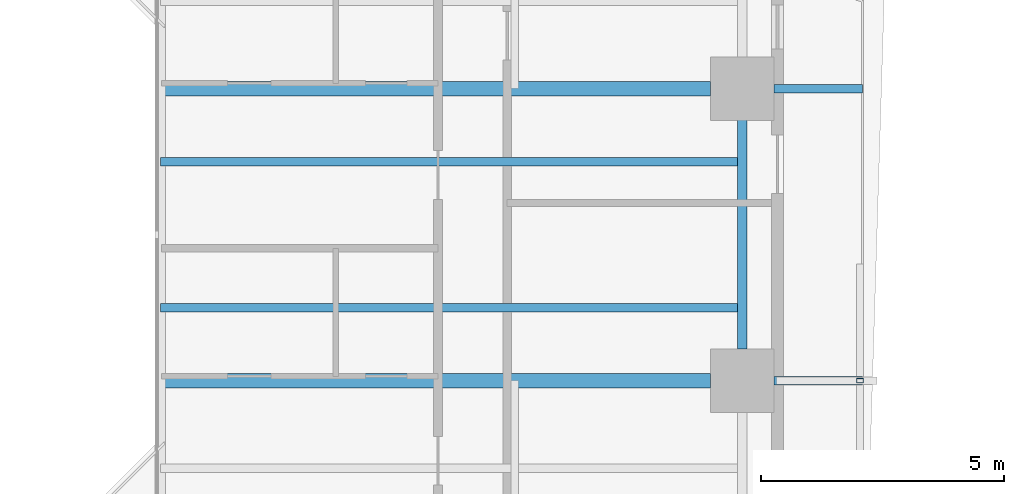
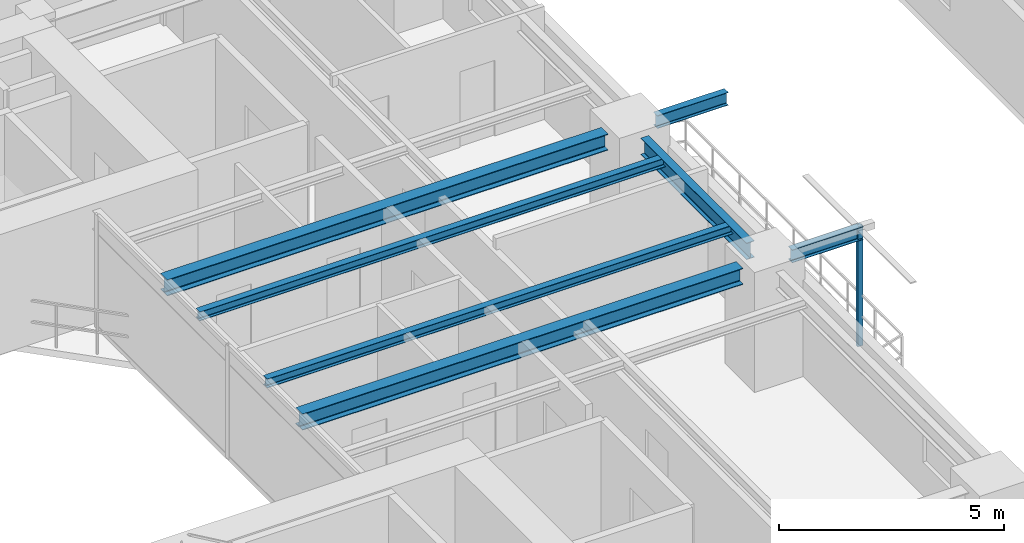
# One storey, part 7 of 23: 7 beams, 1 member.
"""IFC4 building model written with IfcOpenShell, lengths in metres."""

from ifc_helpers import new_model, si_unit, direction, frame, origin, origin_2d, place, context, subcontext, project, spatial, hollow_rectangle, i_section, extrude, source, transform, mapped, material, material_profile, profile_set, type_object, element, save


model = new_model("IFC4")

# Units and contexts
model_context = context("Model", 3, precision=1e-05, world=origin(), true_north=direction((0.0, 1.0)))
body_context = subcontext(model_context, "Body", "Model", "MODEL_VIEW")
ifc_project = project(units=[si_unit("LENGTHUNIT", "METRE"), si_unit("AREAUNIT", "SQUARE_METRE"), si_unit("VOLUMEUNIT", "CUBIC_METRE"), si_unit("PLANEANGLEUNIT", "RADIAN"), si_unit("MASSUNIT", "GRAM", prefix="KILO"), si_unit("THERMODYNAMICTEMPERATUREUNIT", "KELVIN"), si_unit("POWERUNIT", "WATT")], contexts=[model_context])

# Site, building, storey
site_placement = place(None, origin())
site = spatial("IfcSite", under=ifc_project, at=site_placement, CompositionType="ELEMENT")
building_placement = place(site_placement, origin())
building = spatial("IfcBuilding", under=site, at=building_placement, Name="Qiaomeng Ring Towers", CompositionType="ELEMENT")
storey_placement = place(building_placement, frame((0.0, 0.0, 29.5)))
storey = spatial("IfcBuildingStorey", under=building, at=storey_placement, Name="L07", CompositionType="ELEMENT", Elevation=29.5)

# Beams
ifc_material_1 = material(Name="Steel Q355B", Category="steel")
ifc_material_profile_1 = material_profile(ifc_material_1, i_section(OverallWidth=0.199951171875, OverallDepth=0.449951171875, WebThickness=0.009033203125, FlangeThickness=0.013916015625, FilletRadius=0.01806640625, at=origin_2d()), Name="HN 450x200x9x14")
ifc_profile_set_1 = profile_set([ifc_material_profile_1], Name="Steel Q355B")
beam_type_1 = type_object("IfcBeamType", Name="STR-BM-HN450", PredefinedType="SPANDREL", material=ifc_profile_set_1)
shared_shape_1 = source(origin(), body_context, "Body", "SweptSolid", [
    extrude(i_section(OverallWidth=0.199951171875, OverallDepth=0.449951171875, WebThickness=0.009033203125, FlangeThickness=0.013916015625, FilletRadius=0.01806640625, at=origin_2d()), origin(), (0.0, 0.0, 1.0), 4.7021484375),
])
beam_placement = place(storey_placement, frame((37.14990234375, 20.64892578125, 2.844970703125), z_axis=(0.0, 1.0, 0.0), x_axis=(-1.0, 0.0, 0.0)))
element("IfcBeam", 1, at=beam_placement, inside=storey, type_object=beam_type_1, Name="L07 beam STR-SP-L07-T1-E2-E3", PredefinedType="SPANDREL", context=body_context, shape_type="MappedRepresentation", body=[
    mapped(shared_shape_1, transform((0.0, 0.0, 0.0), x_axis=(1.0, 0.0, 0.0), y_axis=(0.0, 1.0, 0.0), z_axis=(0.0, 0.0, 1.0), scale=1.0)),
])
ifc_material_profile_2 = material_profile(ifc_material_1, i_section(OverallWidth=0.300048828125, OverallDepth=0.43994140625, WebThickness=0.010986328125, FlangeThickness=0.01806640625, FilletRadius=0.02392578125, at=origin_2d()), Name="HM 440x300x11x18")
ifc_profile_set_2 = profile_set([ifc_material_profile_2], Name="Steel Q355B")
beam_type_2 = type_object("IfcBeamType", Name="STR-BM-HM440", PredefinedType="BEAM", material=ifc_profile_set_2)
shared_shape_2 = source(origin(), body_context, "Body", "SweptSolid", [
    extrude(i_section(OverallWidth=0.300048828125, OverallDepth=0.43994140625, WebThickness=0.010986328125, FlangeThickness=0.01806640625, FilletRadius=0.02392578125, at=origin_2d()), origin(), (0.0, 0.0, 1.0), 11.301025390625),
])
for number, where, z_axis, x_axis, name in (
    (2, (25.199951171875, 20.0, 2.85009765625), (1.0, 0.0, 0.0), (0.0, 1.0, 0.0), "L07 beam STR-BM-L07-T1-RAD-E2"),
    (3, (25.199951171875, 26.0, 2.85009765625), (1.0, 0.0, 0.0), (0.0, 1.0, 0.0), "L07 beam STR-BM-L07-T1-RAD-E3"),
):
    element("IfcBeam", number, at=place(storey_placement, frame(where, z_axis=z_axis, x_axis=x_axis)), inside=storey, type_object=beam_type_2, Name=name, PredefinedType="BEAM", context=body_context, shape_type="MappedRepresentation", body=[
        mapped(shared_shape_2, transform((0.0, 0.0, 0.0), x_axis=(1.0, 0.0, 0.0), y_axis=(0.0, 1.0, 0.0), z_axis=(0.0, 0.0, 1.0), scale=1.0)),
    ])
ifc_material_profile_3 = material_profile(ifc_material_1, i_section(OverallWidth=0.175048828125, OverallDepth=0.35009765625, WebThickness=0.007080078125, FlangeThickness=0.010986328125, FilletRadius=0.013916015625, at=origin_2d()), Name="HN 350x175x7x11")
ifc_profile_set_3 = profile_set([ifc_material_profile_3], Name="Steel Q355B")
beam_type_3 = type_object("IfcBeamType", Name="STR-BM-HN350", PredefinedType="JOIST", material=ifc_profile_set_3)
shared_shape_3 = source(origin(), body_context, "Body", "SweptSolid", [
    extrude(i_section(OverallWidth=0.175048828125, OverallDepth=0.35009765625, WebThickness=0.007080078125, FlangeThickness=0.010986328125, FilletRadius=0.013916015625, at=origin_2d()), origin(), (0.0, 0.0, 1.0), 1.821044921875),
])
for number, where, z_axis, x_axis, name in (
    (4, (37.799072265625, 20.0, 2.89501953125), (1.0, 0.0, 0.0), (0.0, 1.0, 0.0), "L07 beam STR-BALBM-L07-E2"),
    (5, (37.799072265625, 26.0, 2.89501953125), (1.0, 0.0, 0.0), (0.0, 1.0, 0.0), "L07 beam STR-BALBM-L07-E3"),
):
    element("IfcBeam", number, at=place(storey_placement, frame(where, z_axis=z_axis, x_axis=x_axis)), inside=storey, type_object=beam_type_3, Name=name, PredefinedType="JOIST", context=body_context, shape_type="MappedRepresentation", body=[
        mapped(shared_shape_3, transform((0.0, 0.0, 0.0), x_axis=(1.0, 0.0, 0.0), y_axis=(0.0, 1.0, 0.0), z_axis=(0.0, 0.0, 1.0), scale=1.0)),
    ])
ifc_material_profile_4 = material_profile(ifc_material_1, i_section(OverallWidth=0.175048828125, OverallDepth=0.243896484375, WebThickness=0.007080078125, FlangeThickness=0.010986328125, FilletRadius=0.01611328125, at=origin_2d()), Name="HM 244x175x7x11")
ifc_profile_set_4 = profile_set([ifc_material_profile_4], Name="Steel Q355B")
beam_type_4 = type_object("IfcBeamType", Name="STR-BM-HM244", PredefinedType="JOIST", material=ifc_profile_set_4)
shared_shape_4 = source(origin(), body_context, "Body", "SweptSolid", [
    extrude(i_section(OverallWidth=0.175048828125, OverallDepth=0.243896484375, WebThickness=0.007080078125, FlangeThickness=0.010986328125, FilletRadius=0.01611328125, at=origin_2d()), origin(), (0.0, 0.0, 1.0), 11.949951171875),
])
for number, where, z_axis, x_axis, name in (
    (6, (25.199951171875, 21.5, 2.947998046875), (1.0, 0.0, 0.0), (0.0, 1.0, 0.0), "L07 beam STR-JST-L07-T1E-2"),
    (7, (25.199951171875, 24.5, 2.947998046875), (1.0, 0.0, 0.0), (0.0, 1.0, 0.0), "L07 beam STR-JST-L07-T1E-3"),
):
    element("IfcBeam", number, at=place(storey_placement, frame(where, z_axis=z_axis, x_axis=x_axis)), inside=storey, type_object=beam_type_4, Name=name, PredefinedType="JOIST", context=body_context, shape_type="MappedRepresentation", body=[
        mapped(shared_shape_4, transform((0.0, 0.0, 0.0), x_axis=(1.0, 0.0, 0.0), y_axis=(0.0, 1.0, 0.0), z_axis=(0.0, 0.0, 1.0), scale=1.0)),
    ])

# Member
ifc_material_2 = material(Name="Stainless steel 316", Category="steel")
ifc_material_profile_5 = material_profile(ifc_material_2, hollow_rectangle(XDim=0.090087890625, YDim=0.139892578125, WallThickness=0.0048828125, at=origin_2d()), Name="SS TRELLIS 90x140")
ifc_profile_set_5 = profile_set([ifc_material_profile_5], Name="Stainless steel 316")
member_type = type_object("IfcMemberType", Name="ARC-TR-POST1", PredefinedType="STUD", material=ifc_profile_set_5)
shared_shape_5 = source(origin(), body_context, "Body", "SweptSolid", [
    extrude(hollow_rectangle(XDim=0.090087890625, YDim=0.139892578125, WallThickness=0.0048828125, at=origin_2d()), origin(), (0.0, 0.0, 1.0), 3.25),
])
member_placement = place(storey_placement, frame((39.570068359375, 20.0, -0.179931640625), z_axis=(0.0, 0.0, 1.0), x_axis=(0.0, 1.0, 0.0)))
element("IfcMember", 8, at=member_placement, inside=storey, type_object=member_type, Name="L07 Outer Ventilated Trellis Post E", PredefinedType="STUD", context=body_context, shape_type="MappedRepresentation", body=[
    mapped(shared_shape_5, transform((0.0, 0.0, 0.0), x_axis=(1.0, 0.0, 0.0), y_axis=(0.0, 1.0, 0.0), z_axis=(0.0, 0.0, 1.0), scale=1.0)),
])

save(model, "model.ifc")
